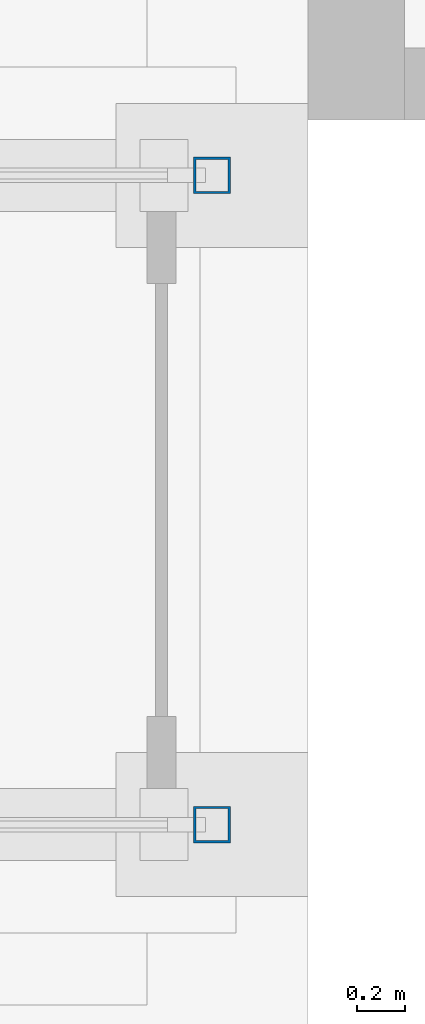
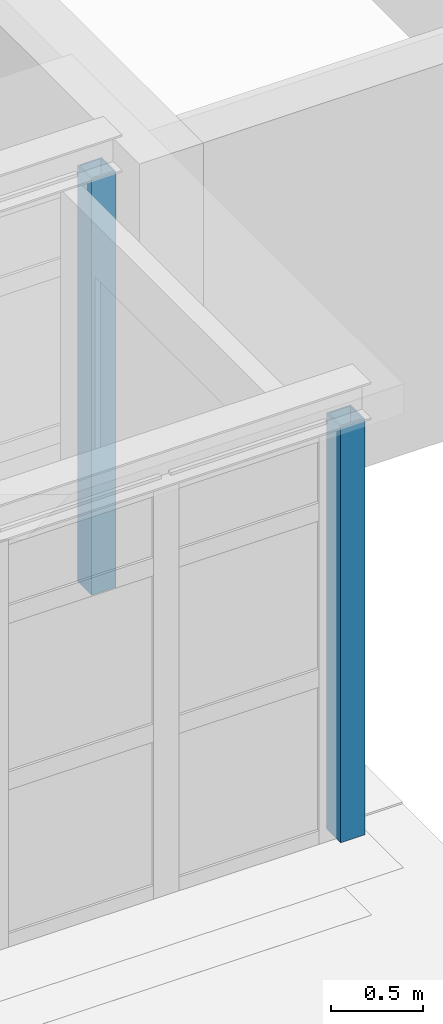
# One storey, part 3 of 131: 2 columns.
"""IFC4 building model written with IfcOpenShell, lengths in metres."""

from ifc_helpers import new_model, si_unit, direction, frame, origin, origin_2d, place, context, subcontext, project, spatial, hollow_rectangle, extrude, material, material_profile, profile_set, type_object, element, save


model = new_model("IFC4")

# Units and contexts
model_context = context("Model", 3, precision=1e-05, world=origin(), true_north=direction((0.0, 1.0)))
body_context = subcontext(model_context, "Body", "Model", "MODEL_VIEW")
ifc_project = project(units=[si_unit("LENGTHUNIT", "METRE"), si_unit("AREAUNIT", "SQUARE_METRE"), si_unit("VOLUMEUNIT", "CUBIC_METRE"), si_unit("PLANEANGLEUNIT", "RADIAN"), si_unit("MASSUNIT", "GRAM", prefix="KILO")], contexts=[model_context])

# Site, building, storey
site_placement = place(None, origin())
site = spatial("IfcSite", under=ifc_project, at=site_placement, CompositionType="ELEMENT")
building_placement = place(site_placement, origin())
building = spatial("IfcBuilding", under=site, at=building_placement, Name="Alderwick Market Hall", CompositionType="ELEMENT")
storey_placement = place(building_placement, frame((0.0, 0.0, 4.800048828125)))
storey = spatial("IfcBuildingStorey", under=building, at=storey_placement, Name="L00", CompositionType="ELEMENT", Elevation=4.800048828125)

# Columns
ifc_material = material(Name="Steel ASTM A500 Grade C", Category="steel")
ifc_material_profile = material_profile(ifc_material, hollow_rectangle(XDim=0.152099609375, YDim=0.152099609375, WallThickness=0.009521484375, at=origin_2d()), Name="HSS152x152x9.5")
ifc_profile_set = profile_set([ifc_material_profile], Name="Steel ASTM A500 Grade C")
column_type = type_object("IfcColumnType", Name="P HSS Column 152x152x9.5", PredefinedType="COLUMN", material=ifc_profile_set)
for number, where, z_axis, x_axis, name in (
    (1, (50.0, 28.949951171875, 0.0), (0.0, 0.0, 1.0), (1.0, 0.0, 0.0), "P.P8.col.a2"),
    (2, (50.0, 31.64990234375, 0.0), (0.0, 0.0, 1.0), (1.0, 0.0, 0.0), "P.P8.col.b2"),
):
    element("IfcColumn", number, at=place(storey_placement, frame(where, z_axis=z_axis, x_axis=x_axis)), inside=storey, type_object=column_type, Name=name, PredefinedType="COLUMN", context=body_context, shape_type="SweptSolid", body=[
        extrude(hollow_rectangle(XDim=0.152099609375, YDim=0.152099609375, WallThickness=0.009521484375, at=origin_2d()), origin(), (0.0, 0.0, 1.0), 2.7529296875),
    ])

save(model, "model.ifc")
